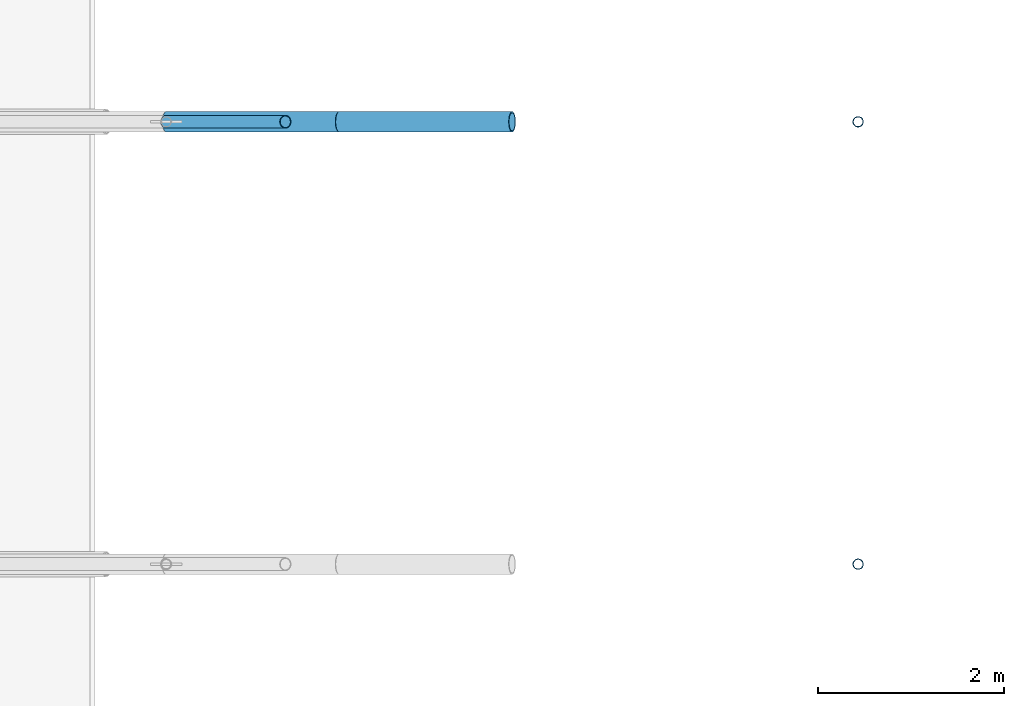
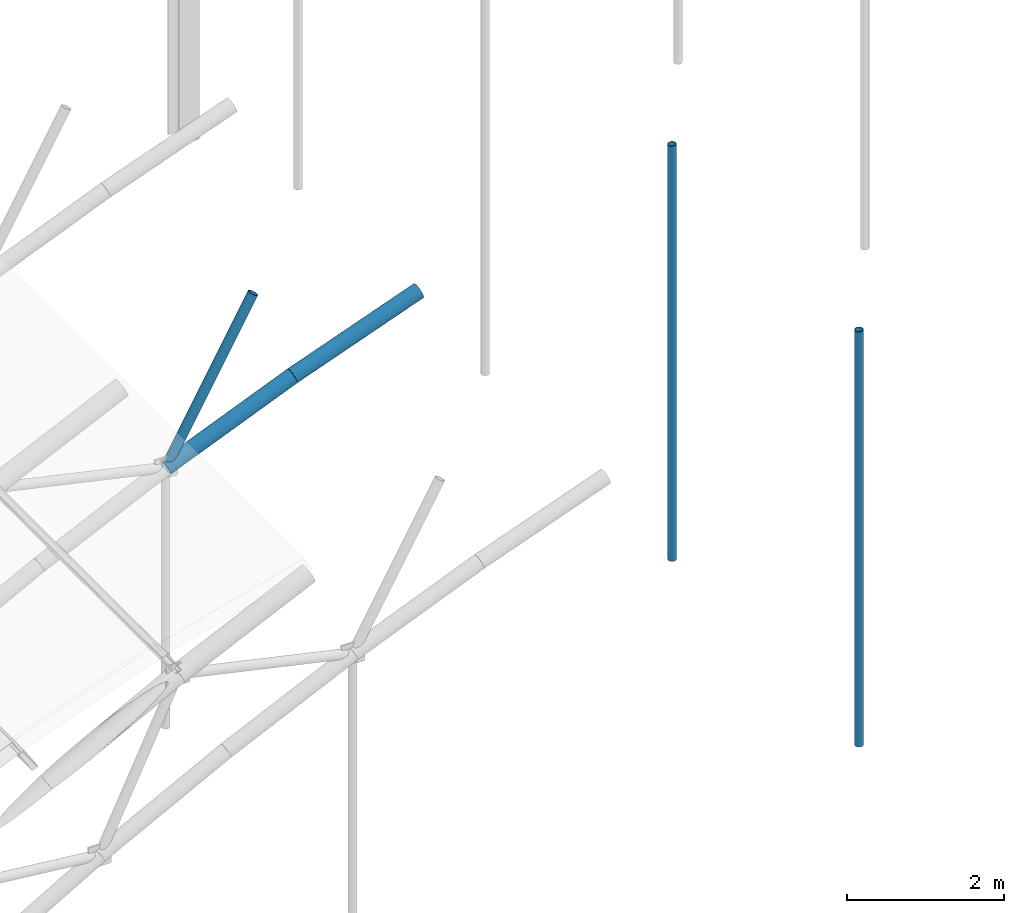
# One storey, part 11 of 50: 5 members.
"""IFC4 building model written with IfcOpenShell, lengths in metres."""

import ifcopenshell
import ifcopenshell.guid

model = None  # the IFC model being written
_history = None  # IfcOwnerHistory: only IFC2X3 demands one
_inside = {}  # id of a spatial element -> (the spatial element, [elements in it])
_under = {}  # id of a project, library or spatial element -> (it, [spatial elements below it])
_declared = {}  # id of a project -> (the project, [libraries it declares])
_typed = {}  # id of a type object -> (the type object, [elements of that type])
_made_of = {}  # id of a material, layer set ... -> (it, [elements and type objects made of it])


def new_model(schema):
    """Start an empty IFC model of exactly this schema.

    Asked for "IFC4X3", IfcOpenShell would pick the latest addendum, in which some entities
    have other attributes; the version numbers below select the first issue.
    IFC2X3 requires an IfcOwnerHistory on every rooted entity: one is made here for all.
    """
    global model, _history
    if schema == "IFC4X3":
        model = ifcopenshell.file(schema_version=(4, 3, 0, 0))
    else:
        model = ifcopenshell.file(schema=schema)
    _inside.clear()
    _under.clear()
    _declared.clear()
    _typed.clear()
    _made_of.clear()
    _history = None
    if model.schema == "IFC2X3":
        org = make("IfcOrganization", Name="unknown")
        user = make(
            "IfcPersonAndOrganization",
            ThePerson=make("IfcPerson", FamilyName="unknown"),
            TheOrganization=org,
        )
        app = make(
            "IfcApplication",
            ApplicationDeveloper=org,
            Version="unknown",
            ApplicationFullName="unknown",
            ApplicationIdentifier="unknown",
        )
        _history = make(
            "IfcOwnerHistory",
            OwningUser=user,
            OwningApplication=app,
            ChangeAction="ADDED",
            CreationDate=0,
        )
    return model


def make(cls, **values):
    """One entity of the class cls with the attributes given. An attribute that is None is left unset."""
    return model.create_entity(
        cls, **{name: value for name, value in values.items() if value is not None}
    )


def rooted(cls, **values):
    """An entity with a GlobalId (a new one), such as an element, a storey or a relation."""
    return make(cls, GlobalId=ifcopenshell.guid.new(), OwnerHistory=_history, **values)


def si_unit(unit_type, name, prefix=None):
    """IfcSIUnit, for example si_unit("LENGTHUNIT", "METRE", prefix="MILLI")."""
    return make("IfcSIUnit", UnitType=unit_type, Prefix=prefix, Name=name)


def assignment(units):
    """IfcUnitAssignment: the units of a project."""
    return None if units is None else make("IfcUnitAssignment", Units=units)


def point(xyz):
    """IfcCartesianPoint."""
    return None if xyz is None else make("IfcCartesianPoint", Coordinates=xyz)


def direction(xyz):
    """IfcDirection."""
    return None if xyz is None else make("IfcDirection", DirectionRatios=xyz)


def frame(location, z_axis=None, x_axis=None):
    """IfcAxis2Placement3D, a coordinate frame: its origin and axes. An axis left out is left unset."""
    return make(
        "IfcAxis2Placement3D",
        Location=point(location),
        Axis=direction(z_axis),
        RefDirection=direction(x_axis),
    )


def frame_2d(location, x_axis=None):
    """IfcAxis2Placement2D, a coordinate frame in the plane: its origin and x axis."""
    return make(
        "IfcAxis2Placement2D", Location=point(location), RefDirection=direction(x_axis)
    )


def origin():
    """The frame at (0, 0, 0) with its axes left unset."""
    return frame((0.0, 0.0, 0.0))


def origin_2d():
    """The frame at (0, 0) in the plane with its x axis left unset."""
    return frame_2d((0.0, 0.0))


def place(relative_to, where):
    """IfcLocalPlacement: puts the frame where relative to a parent placement (None: the world)."""
    return make(
        "IfcLocalPlacement", PlacementRelTo=relative_to, RelativePlacement=where
    )


def context(
    kind, dimensions, precision=None, world=None, true_north=None, identifier=None
):
    """IfcGeometricRepresentationContext, for example the 3D "Model" context."""
    return make(
        "IfcGeometricRepresentationContext",
        ContextIdentifier=identifier,
        ContextType=kind,
        CoordinateSpaceDimension=dimensions,
        Precision=precision,
        WorldCoordinateSystem=world,
        TrueNorth=true_north,
    )


def subcontext(parent, identifier, kind, view, scale=None):
    """IfcGeometricRepresentationSubContext, for example "Body" below "Model"."""
    return make(
        "IfcGeometricRepresentationSubContext",
        ContextIdentifier=identifier,
        ContextType=kind,
        ParentContext=parent,
        TargetScale=scale,
        TargetView=view,
    )


def project(units=None, contexts=None):
    """IfcProject with its units and contexts."""
    return rooted(
        "IfcProject",
        Name="project",
        RepresentationContexts=contexts,
        UnitsInContext=assignment(units),
    )


def spatial(cls, under=None, at=None, **own):
    """A site, building, storey or space (cls), placed at a placement, below another one or the project."""
    s = rooted(cls, ObjectPlacement=at, **own)
    if under is not None:
        _under.setdefault(under.id(), (under, []))[1].append(s)
    return s


def profile(cls, at=None, kind="AREA", **sizes):
    """A parametric profile (cls). Its sizes go by their IFC names, for example OverallWidth=200.0."""
    return make(cls, ProfileType=kind, Position=at, **sizes)


def hollow_circle(**sizes):
    """IfcCircleHollowProfileDef."""
    return profile("IfcCircleHollowProfileDef", **sizes)


def extrude(swept, where, along, depth):
    """IfcExtrudedAreaSolid: the profile swept, set in the frame where, extruded along a direction by depth."""
    return make(
        "IfcExtrudedAreaSolid",
        SweptArea=swept,
        Position=where,
        ExtrudedDirection=direction(along),
        Depth=depth,
    )


def shape(context_of_items, identifier, shape_type, items):
    """IfcShapeRepresentation: the items that make up one representation, for example the "Body"."""
    return make(
        "IfcShapeRepresentation",
        ContextOfItems=context_of_items,
        RepresentationIdentifier=identifier,
        RepresentationType=shape_type,
        Items=items,
    )


def material(Name=None, Category=None):
    """IfcMaterial."""
    return make("IfcMaterial", Name=Name, Category=Category)


def material_profile(
    of_material, cross_section, Name=None, Category=None, Priority=None
):
    """IfcMaterialProfile: a cross section and its material."""
    return make(
        "IfcMaterialProfile",
        Name=Name,
        Material=of_material,
        Profile=cross_section,
        Priority=Priority,
        Category=Category,
    )


def profile_set(profiles, Name=None, composite=None):
    """IfcMaterialProfileSet."""
    return make(
        "IfcMaterialProfileSet",
        Name=Name,
        MaterialProfiles=profiles,
        CompositeProfile=composite,
    )


def made_of(thing, what):
    """Note that an element or type object is made of a material, layer set ...; save() writes the relation."""
    if what is not None:
        _made_of.setdefault(what.id(), (what, []))[1].append(thing)
    return thing


def type_object(cls, material=None, **own):
    """A type object (cls), such as IfcWallType, which elements share."""
    return made_of(rooted(cls, **own), material)


def element(
    cls,
    number,
    at=None,
    inside=None,
    cuts=None,
    type_object=None,
    material=None,
    context=None,
    identifier="Body",
    shape_type=None,
    held_by="IfcProductDefinitionShape",
    body=None,
    shapes=None,
    **own,
):
    """One element of the class cls, such as IfcWall. Its Tag is "e" and its number.

    at: its placement. inside: the storey or other place that contains it. cuts: it is an
    opening in that element (IfcRelVoidsElement). A single representation is given by context,
    identifier, shape_type and body (its items); several are given by shapes. held_by: the class
    of the entity that holds the representations. save() writes the other relations.
    """
    e = rooted(cls, Tag="e%d" % number, ObjectPlacement=at, **own)
    if body is not None:
        shapes = [shape(context, identifier, shape_type, body)]
    if shapes is not None:
        e.Representation = make(held_by, Representations=shapes)
    if inside is not None:
        _inside.setdefault(inside.id(), (inside, []))[1].append(e)
    if cuts is not None:
        rooted(
            "IfcRelVoidsElement", RelatingBuildingElement=cuts, RelatedOpeningElement=e
        )
    if type_object is not None:
        _typed.setdefault(type_object.id(), (type_object, []))[1].append(e)
    return made_of(e, material)


def aggregate(whole, parts):
    """IfcRelAggregates: a whole, such as a stair, and the parts it consists of."""
    return rooted("IfcRelAggregates", RelatingObject=whole, RelatedObjects=parts)


def save(model, path):
    """Write the relations noted so far, then the file.

    IfcRelAggregates (storeys below a building ...), IfcRelContainedInSpatialStructure (elements
    in a storey), IfcRelDefinesByType, IfcRelAssociatesMaterial and IfcRelDeclares: one each for
    every whole, place, type object, material and project.
    """
    for whole, parts in _under.values():
        aggregate(whole, parts)
    for where, things in _inside.values():
        rooted(
            "IfcRelContainedInSpatialStructure",
            RelatedElements=things,
            RelatingStructure=where,
        )
    for kind, things in _typed.values():
        rooted("IfcRelDefinesByType", RelatedObjects=things, RelatingType=kind)
    for what, things in _made_of.values():
        rooted("IfcRelAssociatesMaterial", RelatedObjects=things, RelatingMaterial=what)
    for by, libraries in _declared.values():
        rooted("IfcRelDeclares", RelatingContext=by, RelatedDefinitions=libraries)
    model.write(path)


model = new_model("IFC4")

# Units and contexts
model_context = context("Model", 3, precision=1e-05, world=origin(), true_north=direction((0.0, 1.0)))
body_context = subcontext(model_context, "Body", "Model", "MODEL_VIEW")
ifc_project = project(units=[si_unit("LENGTHUNIT", "METRE"), si_unit("AREAUNIT", "SQUARE_METRE"), si_unit("VOLUMEUNIT", "CUBIC_METRE"), si_unit("PLANEANGLEUNIT", "RADIAN"), si_unit("MASSUNIT", "GRAM", prefix="KILO")], contexts=[model_context])

# Site, building, storey
site_placement = place(None, origin())
site = spatial("IfcSite", under=ifc_project, at=site_placement, CompositionType="ELEMENT")
building_placement = place(site_placement, origin())
building = spatial("IfcBuilding", under=site, at=building_placement, Name="Elbe Cascade School", CompositionType="ELEMENT")
storey_placement = place(building_placement, frame((0.0, 0.0, 15.300048828125)))
storey = spatial("IfcBuildingStorey", under=building, at=storey_placement, Name="L04", CompositionType="ELEMENT", Elevation=15.300048828125)

# Members
ifc_material_1 = material(Name="Steel S355J2H", Category="steel")
ifc_material_profile_1 = material_profile(ifc_material_1, hollow_circle(Radius=0.109619140625, WallThickness=0.012451171875, at=origin_2d()), Name="CHS 219.1x12.5")
ifc_profile_set_1 = profile_set([ifc_material_profile_1], Name="Steel S355J2H")
member_type_1 = type_object("IfcMemberType", Name="Hall rib bottom chord CHS 219.1x12.5", PredefinedType="CHORD", material=ifc_profile_set_1)
member_1_placement = place(storey_placement, frame((15.428466796875, 60.0, 2.399658203125), z_axis=(0.924348085413, 0.0, 0.381550281083), x_axis=(0.0, 1.0, 0.0)))
element("IfcMember", 1, at=member_1_placement, inside=storey, type_object=member_type_1, Name="Hall rib bottom chord CHS 219.1x12.5 M3", PredefinedType="CHORD", context=body_context, shape_type="SweptSolid", body=[
    extrude(hollow_circle(Radius=0.109619140625, WallThickness=0.012451171875, at=origin_2d()), origin(), (0.0, 0.0, 1.0), 2.00927734375),
])
member_2_placement = place(storey_placement, frame((17.28564453125, 60.0, 3.166259765625), z_axis=(0.939919624861, 0.0, 0.341395809582), x_axis=(0.0, 1.0, 0.0)))
element("IfcMember", 2, at=member_2_placement, inside=storey, type_object=member_type_1, Name="Hall rib bottom chord CHS 219.1x12.5 M3", PredefinedType="CHORD", context=body_context, shape_type="SweptSolid", body=[
    extrude(hollow_circle(Radius=0.109619140625, WallThickness=0.012451171875, at=origin_2d()), origin(), (0.0, 0.0, 1.0), 1.975830078125),
])
ifc_material_2 = material(Name="Steel S355J2H", Category="steel")
ifc_material_profile_2 = material_profile(ifc_material_2, hollow_circle(Radius=0.06982421875, WallThickness=0.008056640625, at=origin_2d()), Name="CHS 139.7x8")
ifc_profile_set_2 = profile_set([ifc_material_profile_2], Name="Steel S355J2H")
member_type_2 = type_object("IfcMemberType", Name="Hall rib web CHS 139.7x8", PredefinedType="BRACE", material=ifc_profile_set_2)
member_3_placement = place(storey_placement, frame((15.428466796875, 60.0, 2.399658203125), z_axis=(0.492822683539, 0.0, 0.870129761926), x_axis=(0.0, 1.0, 0.0)))
element("IfcMember", 3, at=member_3_placement, inside=storey, type_object=member_type_2, Name="Hall rib web CHS 139.7x8 M4", PredefinedType="BRACE", context=body_context, shape_type="SweptSolid", body=[
    extrude(hollow_circle(Radius=0.06982421875, WallThickness=0.008056640625, at=origin_2d()), origin(), (0.0, 0.0, 1.0), 2.595458984375),
])
ifc_material_3 = material(Name="Steel S355J2H", Category="steel")
ifc_material_profile_3 = material_profile(ifc_material_3, hollow_circle(Radius=0.05712890625, WallThickness=0.00634765625, at=origin_2d()), Name="CHS 114.3x6.3")
ifc_profile_set_3 = profile_set([ifc_material_profile_3], Name="Steel S355J2H")
member_type_3 = type_object("IfcMemberType", Name="Hall tie hanger CHS 114.3x6.3", PredefinedType="POST", material=ifc_profile_set_3)
for number, where, z_axis, x_axis, name in (
    (4, (22.857177734375, 55.25, -1.623779296875), (0.0, 0.0, 1.0), (1.0, 0.0, 0.0), "Hall tie hanger CHS 114.3x6.3 M7"),
    (5, (22.857177734375, 60.0, -1.623779296875), (0.0, 0.0, 1.0), (1.0, 0.0, 0.0), "Hall tie hanger CHS 114.3x6.3 M7"),
):
    element("IfcMember", number, at=place(storey_placement, frame(where, z_axis=z_axis, x_axis=x_axis)), inside=storey, type_object=member_type_3, Name=name, PredefinedType="POST", context=body_context, shape_type="SweptSolid", body=[
        extrude(hollow_circle(Radius=0.05712890625, WallThickness=0.00634765625, at=origin_2d()), origin(), (0.0, 0.0, 1.0), 6.4404296875),
    ])

save(model, "model.ifc")
